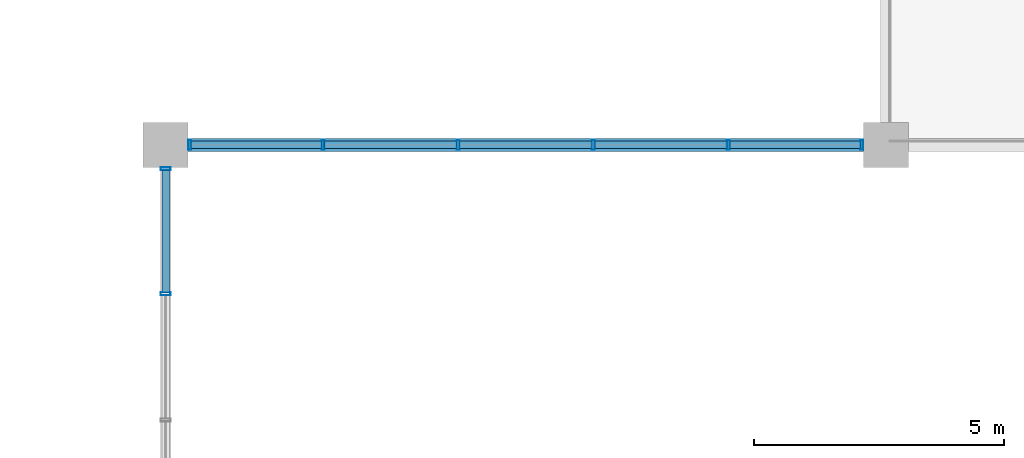
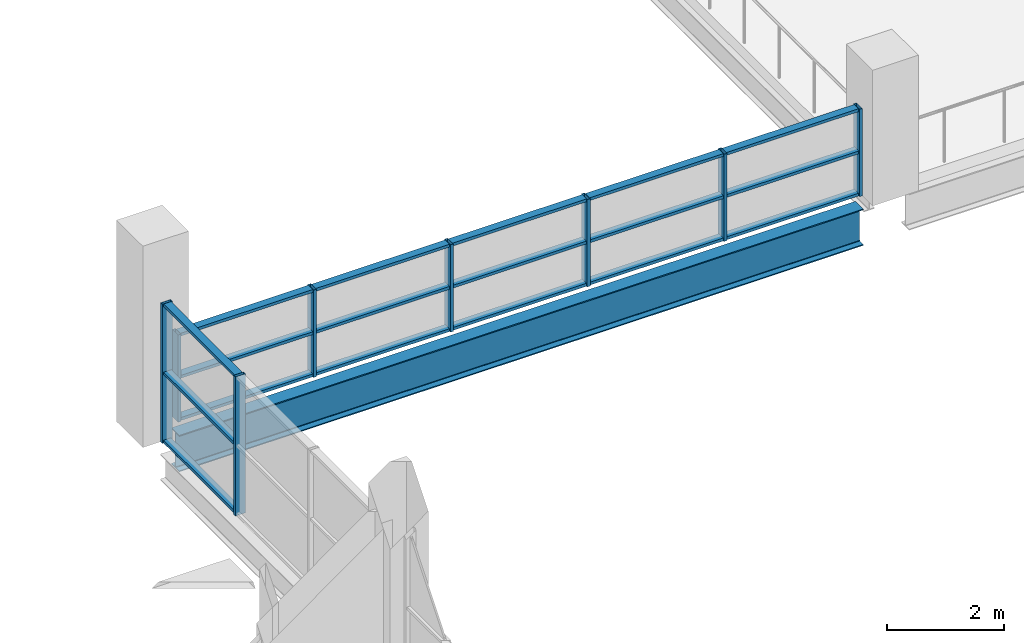
# One storey, part 29 of 68: 26 members, 1 beam, 2 elements without a shape of their own.
"""IFC4 building model written with IfcOpenShell, lengths in metres."""

from ifc_helpers import new_model, si_unit, direction, frame, origin, origin_2d, place, context, subcontext, project, spatial, hollow_rectangle, i_section, extrude, material, material_profile, profile_set, type_object, element, aggregate, save


model = new_model("IFC4")

# Units and contexts
model_context = context("Model", 3, precision=1e-05, world=origin(), true_north=direction((0.0, 1.0)))
body_context = subcontext(model_context, "Body", "Model", "MODEL_VIEW")
ifc_project = project(units=[si_unit("LENGTHUNIT", "METRE"), si_unit("AREAUNIT", "SQUARE_METRE"), si_unit("VOLUMEUNIT", "CUBIC_METRE"), si_unit("PLANEANGLEUNIT", "RADIAN"), si_unit("MASSUNIT", "GRAM", prefix="KILO"), si_unit("THERMODYNAMICTEMPERATUREUNIT", "KELVIN")], contexts=[model_context])

# Site, building, storey
site_placement = place(None, origin())
site = spatial("IfcSite", under=ifc_project, at=site_placement, CompositionType="ELEMENT")
building_placement = place(site_placement, origin())
building = spatial("IfcBuilding", under=site, at=building_placement, Name="Nduvali Passage Aquatics Centre", CompositionType="ELEMENT")
storey_placement = place(building_placement, frame((0.0, 0.0, 13.199951171875)))
storey = spatial("IfcBuildingStorey", under=building, at=storey_placement, Name="L03", CompositionType="ELEMENT", Elevation=13.199951171875)

# Curtain wall, members
ifc_material_1 = material(Name="Aluminium EN AW-6063 T6", Category="aluminium")
curtain_wall_type = type_object("IfcCurtainWallType", Name="ENV-CW-CLER", PredefinedType="NOTDEFINED", material=ifc_material_1)
curtain_wall_1_placement = place(storey_placement, origin())
curtain_wall_1 = element("IfcCurtainWall", 1, at=curtain_wall_1_placement, inside=storey, type_object=curtain_wall_type, Name="L03 West Pool Hall High Arch Clerestory 014", PredefinedType="NOTDEFINED")
ifc_material_profile_1 = material_profile(ifc_material_1, hollow_rectangle(XDim=0.06005859375, YDim=0.199951171875, WallThickness=0.00390625, at=origin_2d()), Name="ALU MULLION 60x200x4")
ifc_profile_set_1 = profile_set([ifc_material_profile_1], Name="Aluminium EN AW-6063 T6")
member_type_1 = type_object("IfcMemberType", Name="ENV-MEM-MUL80", PredefinedType="MULLION", material=ifc_profile_set_1)
member_1_placement = place(storey_placement, frame((25.199951171875, 89.425048828125, 0.0), z_axis=(0.0, 0.0, 1.0), x_axis=(0.0, 1.0, 0.0)))
member_1 = element("IfcMember", 2, at=member_1_placement, type_object=member_type_1, Name="West Pool Hall High Arch Clerestory Mullion 3", PredefinedType="MULLION", context=body_context, shape_type="SweptSolid", body=[
    extrude(hollow_rectangle(XDim=0.06005859375, YDim=0.199951171875, WallThickness=0.00390625, at=origin_2d()), origin(), (0.0, 0.0, 1.0), 2.900146484375),
])
member_2_placement = place(storey_placement, frame((25.199951171875, 91.919921875, 0.0), z_axis=(0.0, 0.0, 1.0), x_axis=(0.0, 1.0, 0.0)))
member_2 = element("IfcMember", 3, at=member_2_placement, type_object=member_type_1, Name="West Pool Hall High Arch Clerestory Mullion 4", PredefinedType="MULLION", context=body_context, shape_type="SweptSolid", body=[
    extrude(hollow_rectangle(XDim=0.06005859375, YDim=0.199951171875, WallThickness=0.00390625, at=origin_2d()), origin(), (0.0, 0.0, 1.0), 2.900146484375),
])

curtain_wall_2_placement = place(storey_placement, origin())
curtain_wall_2 = element("IfcCurtainWall", 4, at=curtain_wall_2_placement, inside=storey, type_object=curtain_wall_type, Name="L03 North Pool Hall High Eave Clerestory 056", PredefinedType="NOTDEFINED")
member_3_placement = place(storey_placement, frame((25.679931640625, 92.39990234375, 0.0), z_axis=(0.0, 0.0, 1.0), x_axis=(1.0, 0.0, 0.0)))
member_3 = element("IfcMember", 5, at=member_3_placement, type_object=member_type_1, Name="North Pool Hall High Eave Clerestory Mullion 1", PredefinedType="MULLION", context=body_context, shape_type="SweptSolid", body=[
    extrude(hollow_rectangle(XDim=0.06005859375, YDim=0.199951171875, WallThickness=0.00390625, at=origin_2d()), origin(), (0.0, 0.0, 1.0), 1.821044921875),
])
member_4_placement = place(storey_placement, frame((28.35009765625, 92.39990234375, 0.0), z_axis=(0.0, 0.0, 1.0), x_axis=(1.0, 0.0, 0.0)))
member_4 = element("IfcMember", 6, at=member_4_placement, type_object=member_type_1, Name="North Pool Hall High Eave Clerestory Mullion 2", PredefinedType="MULLION", context=body_context, shape_type="SweptSolid", body=[
    extrude(hollow_rectangle(XDim=0.06005859375, YDim=0.199951171875, WallThickness=0.00390625, at=origin_2d()), origin(), (0.0, 0.0, 1.0), 1.821044921875),
])
member_5_placement = place(storey_placement, frame((31.050048828125, 92.39990234375, 0.0), z_axis=(0.0, 0.0, 1.0), x_axis=(1.0, 0.0, 0.0)))
member_5 = element("IfcMember", 7, at=member_5_placement, type_object=member_type_1, Name="North Pool Hall High Eave Clerestory Mullion 3", PredefinedType="MULLION", context=body_context, shape_type="SweptSolid", body=[
    extrude(hollow_rectangle(XDim=0.06005859375, YDim=0.199951171875, WallThickness=0.00390625, at=origin_2d()), origin(), (0.0, 0.0, 1.0), 1.821044921875),
])
member_6_placement = place(storey_placement, frame((33.75, 92.39990234375, 0.0), z_axis=(0.0, 0.0, 1.0), x_axis=(1.0, 0.0, 0.0)))
member_6 = element("IfcMember", 8, at=member_6_placement, type_object=member_type_1, Name="North Pool Hall High Eave Clerestory Mullion 4", PredefinedType="MULLION", context=body_context, shape_type="SweptSolid", body=[
    extrude(hollow_rectangle(XDim=0.06005859375, YDim=0.199951171875, WallThickness=0.00390625, at=origin_2d()), origin(), (0.0, 0.0, 1.0), 1.821044921875),
])
member_7_placement = place(storey_placement, frame((36.449951171875, 92.39990234375, 0.0), z_axis=(0.0, 0.0, 1.0), x_axis=(1.0, 0.0, 0.0)))
member_7 = element("IfcMember", 9, at=member_7_placement, type_object=member_type_1, Name="North Pool Hall High Eave Clerestory Mullion 5", PredefinedType="MULLION", context=body_context, shape_type="SweptSolid", body=[
    extrude(hollow_rectangle(XDim=0.06005859375, YDim=0.199951171875, WallThickness=0.00390625, at=origin_2d()), origin(), (0.0, 0.0, 1.0), 1.821044921875),
])
member_8_placement = place(storey_placement, frame((39.1201171875, 92.39990234375, 0.0), z_axis=(0.0, 0.0, 1.0), x_axis=(1.0, 0.0, 0.0)))
member_8 = element("IfcMember", 10, at=member_8_placement, type_object=member_type_1, Name="North Pool Hall High Eave Clerestory Mullion 6", PredefinedType="MULLION", context=body_context, shape_type="SweptSolid", body=[
    extrude(hollow_rectangle(XDim=0.06005859375, YDim=0.199951171875, WallThickness=0.00390625, at=origin_2d()), origin(), (0.0, 0.0, 1.0), 1.821044921875),
])

# Member
ifc_material_profile_2 = material_profile(ifc_material_1, hollow_rectangle(XDim=0.14990234375, YDim=0.06005859375, WallThickness=0.00390625, at=origin_2d()), Name="ALU TRANSOM 150x60x4")
ifc_profile_set_2 = profile_set([ifc_material_profile_2], Name="Aluminium EN AW-6063 T6")
member_type_2 = type_object("IfcMemberType", Name="ENV-MEM-TRN80", PredefinedType="USERDEFINED", material=ifc_profile_set_2)
member_9_placement = place(storey_placement, frame((25.199951171875, 89.455078125, 0.030029296875), z_axis=(0.0, 1.0, 0.0), x_axis=(-1.0, 0.0, 0.0)))
member_9 = element("IfcMember", 11, at=member_9_placement, type_object=member_type_2, Name="West Pool Hall High Arch Clerestory Transom B3-R0", ObjectType="TRANSOM", PredefinedType="USERDEFINED", context=body_context, shape_type="SweptSolid", body=[
    extrude(hollow_rectangle(XDim=0.14990234375, YDim=0.06005859375, WallThickness=0.00390625, at=origin_2d()), origin(), (0.0, 0.0, 1.0), 2.434814453125),
])

member_10_placement = place(storey_placement, frame((25.199951171875, 89.455078125, 1.449951171875), z_axis=(0.0, 1.0, 0.0), x_axis=(-1.0, 0.0, 0.0)))
member_10 = element("IfcMember", 12, at=member_10_placement, type_object=member_type_2, Name="West Pool Hall High Arch Clerestory Transom B3-R1", ObjectType="TRANSOM", PredefinedType="USERDEFINED", context=body_context, shape_type="SweptSolid", body=[
    extrude(hollow_rectangle(XDim=0.14990234375, YDim=0.06005859375, WallThickness=0.00390625, at=origin_2d()), origin(), (0.0, 0.0, 1.0), 2.434814453125),
])

member_11_placement = place(storey_placement, frame((25.199951171875, 89.455078125, 2.8701171875), z_axis=(0.0, 1.0, 0.0), x_axis=(-1.0, 0.0, 0.0)))
member_11 = element("IfcMember", 13, at=member_11_placement, type_object=member_type_2, Name="West Pool Hall High Arch Clerestory Transom B3-R2", ObjectType="TRANSOM", PredefinedType="USERDEFINED", context=body_context, shape_type="SweptSolid", body=[
    extrude(hollow_rectangle(XDim=0.14990234375, YDim=0.06005859375, WallThickness=0.00390625, at=origin_2d()), origin(), (0.0, 0.0, 1.0), 2.434814453125),
])

aggregate(curtain_wall_1, [member_1, member_2, member_9, member_10, member_11])

member_12_placement = place(storey_placement, frame((25.7099609375, 92.39990234375, 0.030029296875), z_axis=(1.0, 0.0, 0.0), x_axis=(0.0, 1.0, 0.0)))
member_12 = element("IfcMember", 14, at=member_12_placement, type_object=member_type_2, Name="North Pool Hall High Eave Clerestory Transom B1-R0", ObjectType="TRANSOM", PredefinedType="USERDEFINED", context=body_context, shape_type="SweptSolid", body=[
    extrude(hollow_rectangle(XDim=0.14990234375, YDim=0.06005859375, WallThickness=0.00390625, at=origin_2d()), origin(), (0.0, 0.0, 1.0), 2.610107421875),
])

member_13_placement = place(storey_placement, frame((25.7099609375, 92.39990234375, 0.91064453125), z_axis=(1.0, 0.0, 0.0), x_axis=(0.0, 1.0, 0.0)))
member_13 = element("IfcMember", 15, at=member_13_placement, type_object=member_type_2, Name="North Pool Hall High Eave Clerestory Transom B1-R1", ObjectType="TRANSOM", PredefinedType="USERDEFINED", context=body_context, shape_type="SweptSolid", body=[
    extrude(hollow_rectangle(XDim=0.14990234375, YDim=0.06005859375, WallThickness=0.00390625, at=origin_2d()), origin(), (0.0, 0.0, 1.0), 2.610107421875),
])

member_14_placement = place(storey_placement, frame((25.7099609375, 92.39990234375, 1.791015625), z_axis=(1.0, 0.0, 0.0), x_axis=(0.0, 1.0, 0.0)))
member_14 = element("IfcMember", 16, at=member_14_placement, type_object=member_type_2, Name="North Pool Hall High Eave Clerestory Transom B1-R2", ObjectType="TRANSOM", PredefinedType="USERDEFINED", context=body_context, shape_type="SweptSolid", body=[
    extrude(hollow_rectangle(XDim=0.14990234375, YDim=0.06005859375, WallThickness=0.00390625, at=origin_2d()), origin(), (0.0, 0.0, 1.0), 2.610107421875),
])

member_15_placement = place(storey_placement, frame((28.3798828125, 92.39990234375, 0.030029296875), z_axis=(1.0, 0.0, 0.0), x_axis=(0.0, 1.0, 0.0)))
member_15 = element("IfcMember", 17, at=member_15_placement, type_object=member_type_2, Name="North Pool Hall High Eave Clerestory Transom B2-R0", ObjectType="TRANSOM", PredefinedType="USERDEFINED", context=body_context, shape_type="SweptSolid", body=[
    extrude(hollow_rectangle(XDim=0.14990234375, YDim=0.06005859375, WallThickness=0.00390625, at=origin_2d()), origin(), (0.0, 0.0, 1.0), 2.64013671875),
])

member_16_placement = place(storey_placement, frame((28.3798828125, 92.39990234375, 0.91064453125), z_axis=(1.0, 0.0, 0.0), x_axis=(0.0, 1.0, 0.0)))
member_16 = element("IfcMember", 18, at=member_16_placement, type_object=member_type_2, Name="North Pool Hall High Eave Clerestory Transom B2-R1", ObjectType="TRANSOM", PredefinedType="USERDEFINED", context=body_context, shape_type="SweptSolid", body=[
    extrude(hollow_rectangle(XDim=0.14990234375, YDim=0.06005859375, WallThickness=0.00390625, at=origin_2d()), origin(), (0.0, 0.0, 1.0), 2.64013671875),
])

member_17_placement = place(storey_placement, frame((28.3798828125, 92.39990234375, 1.791015625), z_axis=(1.0, 0.0, 0.0), x_axis=(0.0, 1.0, 0.0)))
member_17 = element("IfcMember", 19, at=member_17_placement, type_object=member_type_2, Name="North Pool Hall High Eave Clerestory Transom B2-R2", ObjectType="TRANSOM", PredefinedType="USERDEFINED", context=body_context, shape_type="SweptSolid", body=[
    extrude(hollow_rectangle(XDim=0.14990234375, YDim=0.06005859375, WallThickness=0.00390625, at=origin_2d()), origin(), (0.0, 0.0, 1.0), 2.64013671875),
])

member_18_placement = place(storey_placement, frame((31.080078125, 92.39990234375, 0.030029296875), z_axis=(1.0, 0.0, 0.0), x_axis=(0.0, 1.0, 0.0)))
member_18 = element("IfcMember", 20, at=member_18_placement, type_object=member_type_2, Name="North Pool Hall High Eave Clerestory Transom B3-R0", ObjectType="TRANSOM", PredefinedType="USERDEFINED", context=body_context, shape_type="SweptSolid", body=[
    extrude(hollow_rectangle(XDim=0.14990234375, YDim=0.06005859375, WallThickness=0.00390625, at=origin_2d()), origin(), (0.0, 0.0, 1.0), 2.639892578125),
])

member_19_placement = place(storey_placement, frame((31.080078125, 92.39990234375, 0.91064453125), z_axis=(1.0, 0.0, 0.0), x_axis=(0.0, 1.0, 0.0)))
member_19 = element("IfcMember", 21, at=member_19_placement, type_object=member_type_2, Name="North Pool Hall High Eave Clerestory Transom B3-R1", ObjectType="TRANSOM", PredefinedType="USERDEFINED", context=body_context, shape_type="SweptSolid", body=[
    extrude(hollow_rectangle(XDim=0.14990234375, YDim=0.06005859375, WallThickness=0.00390625, at=origin_2d()), origin(), (0.0, 0.0, 1.0), 2.639892578125),
])

member_20_placement = place(storey_placement, frame((31.080078125, 92.39990234375, 1.791015625), z_axis=(1.0, 0.0, 0.0), x_axis=(0.0, 1.0, 0.0)))
member_20 = element("IfcMember", 22, at=member_20_placement, type_object=member_type_2, Name="North Pool Hall High Eave Clerestory Transom B3-R2", ObjectType="TRANSOM", PredefinedType="USERDEFINED", context=body_context, shape_type="SweptSolid", body=[
    extrude(hollow_rectangle(XDim=0.14990234375, YDim=0.06005859375, WallThickness=0.00390625, at=origin_2d()), origin(), (0.0, 0.0, 1.0), 2.639892578125),
])

member_21_placement = place(storey_placement, frame((33.780029296875, 92.39990234375, 0.030029296875), z_axis=(1.0, 0.0, 0.0), x_axis=(0.0, 1.0, 0.0)))
member_21 = element("IfcMember", 23, at=member_21_placement, type_object=member_type_2, Name="North Pool Hall High Eave Clerestory Transom B4-R0", ObjectType="TRANSOM", PredefinedType="USERDEFINED", context=body_context, shape_type="SweptSolid", body=[
    extrude(hollow_rectangle(XDim=0.14990234375, YDim=0.06005859375, WallThickness=0.00390625, at=origin_2d()), origin(), (0.0, 0.0, 1.0), 2.639892578125),
])

member_22_placement = place(storey_placement, frame((33.780029296875, 92.39990234375, 0.91064453125), z_axis=(1.0, 0.0, 0.0), x_axis=(0.0, 1.0, 0.0)))
member_22 = element("IfcMember", 24, at=member_22_placement, type_object=member_type_2, Name="North Pool Hall High Eave Clerestory Transom B4-R1", ObjectType="TRANSOM", PredefinedType="USERDEFINED", context=body_context, shape_type="SweptSolid", body=[
    extrude(hollow_rectangle(XDim=0.14990234375, YDim=0.06005859375, WallThickness=0.00390625, at=origin_2d()), origin(), (0.0, 0.0, 1.0), 2.639892578125),
])

member_23_placement = place(storey_placement, frame((33.780029296875, 92.39990234375, 1.791015625), z_axis=(1.0, 0.0, 0.0), x_axis=(0.0, 1.0, 0.0)))
member_23 = element("IfcMember", 25, at=member_23_placement, type_object=member_type_2, Name="North Pool Hall High Eave Clerestory Transom B4-R2", ObjectType="TRANSOM", PredefinedType="USERDEFINED", context=body_context, shape_type="SweptSolid", body=[
    extrude(hollow_rectangle(XDim=0.14990234375, YDim=0.06005859375, WallThickness=0.00390625, at=origin_2d()), origin(), (0.0, 0.0, 1.0), 2.639892578125),
])

member_24_placement = place(storey_placement, frame((36.47998046875, 92.39990234375, 0.030029296875), z_axis=(1.0, 0.0, 0.0), x_axis=(0.0, 1.0, 0.0)))
member_24 = element("IfcMember", 26, at=member_24_placement, type_object=member_type_2, Name="North Pool Hall High Eave Clerestory Transom B5-R0", ObjectType="TRANSOM", PredefinedType="USERDEFINED", context=body_context, shape_type="SweptSolid", body=[
    extrude(hollow_rectangle(XDim=0.14990234375, YDim=0.06005859375, WallThickness=0.00390625, at=origin_2d()), origin(), (0.0, 0.0, 1.0), 2.610107421875),
])

member_25_placement = place(storey_placement, frame((36.47998046875, 92.39990234375, 0.91064453125), z_axis=(1.0, 0.0, 0.0), x_axis=(0.0, 1.0, 0.0)))
member_25 = element("IfcMember", 27, at=member_25_placement, type_object=member_type_2, Name="North Pool Hall High Eave Clerestory Transom B5-R1", ObjectType="TRANSOM", PredefinedType="USERDEFINED", context=body_context, shape_type="SweptSolid", body=[
    extrude(hollow_rectangle(XDim=0.14990234375, YDim=0.06005859375, WallThickness=0.00390625, at=origin_2d()), origin(), (0.0, 0.0, 1.0), 2.610107421875),
])

member_26_placement = place(storey_placement, frame((36.47998046875, 92.39990234375, 1.791015625), z_axis=(1.0, 0.0, 0.0), x_axis=(0.0, 1.0, 0.0)))
member_26 = element("IfcMember", 28, at=member_26_placement, type_object=member_type_2, Name="North Pool Hall High Eave Clerestory Transom B5-R2", ObjectType="TRANSOM", PredefinedType="USERDEFINED", context=body_context, shape_type="SweptSolid", body=[
    extrude(hollow_rectangle(XDim=0.14990234375, YDim=0.06005859375, WallThickness=0.00390625, at=origin_2d()), origin(), (0.0, 0.0, 1.0), 2.610107421875),
])

aggregate(curtain_wall_2, [member_3, member_4, member_5, member_6, member_7, member_8, member_12, member_13, member_14, member_15, member_16, member_17, member_18, member_19, member_20, member_21, member_22, member_23, member_24, member_25, member_26])

# Beam
ifc_material_2 = material(Name="Steel S355", Category="steel")
ifc_material_profile_3 = material_profile(ifc_material_2, i_section(OverallWidth=0.2666015625, OverallDepth=0.76220703125, WebThickness=0.014404296875, FlangeThickness=0.021484375, FilletRadius=0.0166015625, at=origin_2d()), Name="UKB 762x267x173")
ifc_profile_set_3 = profile_set([ifc_material_profile_3], Name="Steel S355")
beam_type = type_object("IfcBeamType", Name="STR-BM-UKB762-EXT", PredefinedType="BEAM", material=ifc_profile_set_3)
beam_placement = place(storey_placement, frame((25.64990234375, 92.39990234375, -0.635009765625), z_axis=(1.0, 0.0, 0.0), x_axis=(0.0, 1.0, 0.0)))
element("IfcBeam", 29, at=beam_placement, inside=storey, type_object=beam_type, Name="L03 Primary X-Girder B4CE-1217", PredefinedType="BEAM", context=body_context, shape_type="SweptSolid", body=[
    extrude(i_section(OverallWidth=0.2666015625, OverallDepth=0.76220703125, WebThickness=0.014404296875, FlangeThickness=0.021484375, FilletRadius=0.0166015625, at=origin_2d()), origin(), (0.0, 0.0, 1.0), 13.5),
])

save(model, "model.ifc")
